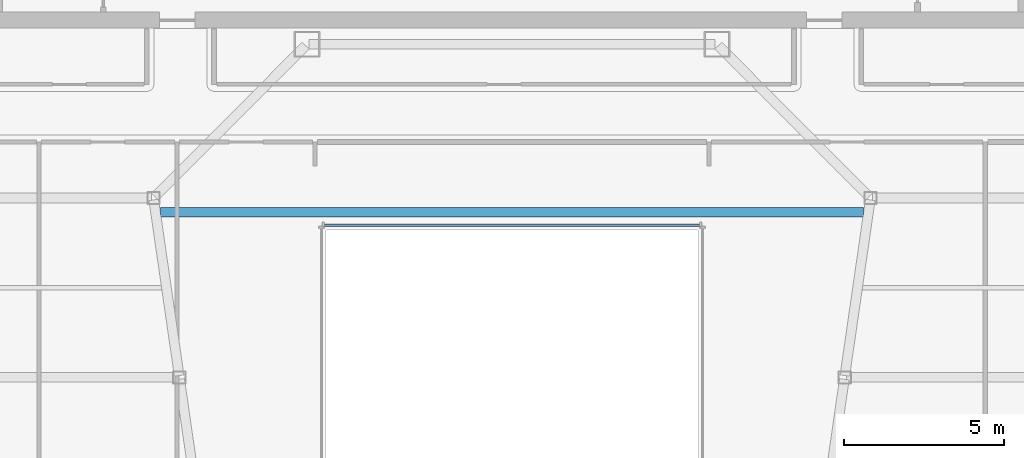
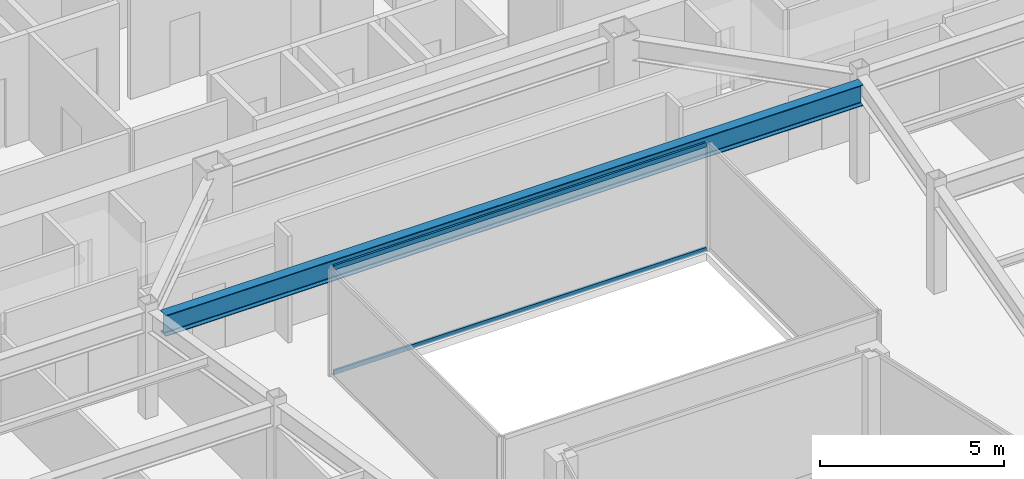
# One storey, part 14 of 36: 2 members, 1 beam, 1 element without a shape of its own.
"""IFC4 building model written with IfcOpenShell, lengths in metres."""

from ifc_helpers import new_model, si_unit, direction, frame, origin, origin_2d, place, context, subcontext, project, spatial, hollow_rectangle, i_section, extrude, material, material_profile, profile_set, type_object, element, aggregate, save


model = new_model("IFC4")

# Units and contexts
model_context = context("Model", 3, precision=1e-05, world=origin(), true_north=direction((0.0, 1.0)))
body_context = subcontext(model_context, "Body", "Model", "MODEL_VIEW")
ifc_project = project(units=[si_unit("LENGTHUNIT", "METRE"), si_unit("AREAUNIT", "SQUARE_METRE"), si_unit("VOLUMEUNIT", "CUBIC_METRE"), si_unit("PLANEANGLEUNIT", "RADIAN"), si_unit("MASSUNIT", "GRAM", prefix="KILO")], contexts=[model_context])

# Site, building, storey
site_placement = place(None, origin())
site = spatial("IfcSite", under=ifc_project, at=site_placement, CompositionType="ELEMENT")
building_placement = place(site_placement, origin())
building = spatial("IfcBuilding", under=site, at=building_placement, Name="Saevonmaru Cultural Tower", CompositionType="ELEMENT")
storey_placement = place(building_placement, frame((0.0, 0.0, 198.0)))
storey = spatial("IfcBuildingStorey", under=building, at=storey_placement, Name="L45", CompositionType="ELEMENT", Elevation=198.0)

# Beam
ifc_material_1 = material(Name="Steel SM355", Category="steel")
ifc_material_profile_1 = material_profile(ifc_material_1, i_section(OverallWidth=0.300048828125, OverallDepth=0.699951171875, WebThickness=0.012939453125, FlangeThickness=0.02392578125, FilletRadius=0.02587890625, at=origin_2d()), Name="H-700x300x13x24")
ifc_profile_set_1 = profile_set([ifc_material_profile_1], Name="Steel SM355")
beam_type = type_object("IfcBeamType", Name="BM-G-H700", PredefinedType="BEAM", material=ifc_profile_set_1)
beam_placement = place(storey_placement, frame((19.029541015625, 37.159912109375, 3.199951171875), z_axis=(1.0, 0.0, 0.0), x_axis=(0.0, 1.0, 0.0)))
element("IfcBeam", 1, at=beam_placement, inside=storey, type_object=beam_type, Name="L45 Central Link Girder", PredefinedType="BEAM", context=body_context, shape_type="SweptSolid", body=[
    extrude(i_section(OverallWidth=0.300048828125, OverallDepth=0.699951171875, WebThickness=0.012939453125, FlangeThickness=0.02392578125, FilletRadius=0.02587890625, at=origin_2d()), origin(), (0.0, 0.0, 1.0), 21.94091796875),
])

# Curtain wall, members
ifc_material_2 = material(Name="Satin Bronze Anodised Aluminium", Category="aluminium")
curtain_wall_type = type_object("IfcCurtainWallType", Name="CW-ATR-GLZ", PredefinedType="NOTDEFINED", material=ifc_material_2)
curtain_wall_placement = place(storey_placement, origin())
curtain_wall = element("IfcCurtainWall", 2, at=curtain_wall_placement, inside=storey, type_object=curtain_wall_type, Name="L45 Vertical Atrium Glazed Smoke Screen 3", PredefinedType="NOTDEFINED")
ifc_material_profile_2 = material_profile(ifc_material_2, hollow_rectangle(XDim=0.06494140625, YDim=0.14990234375, WallThickness=0.00390625, at=origin_2d()), Name="ALU-TRAN-150x65x4")
ifc_profile_set_2 = profile_set([ifc_material_profile_2], Name="Satin Bronze Anodised Aluminium")
member_type = type_object("IfcMemberType", Name="TR-CW-INT-150x65", PredefinedType="USERDEFINED", material=ifc_profile_set_2)
member_1_placement = place(storey_placement, frame((35.857421875, 36.75, 0.032470703125), z_axis=(-1.0, 0.0, 0.0), x_axis=(0.0, -1.0, 0.0)))
member_1 = element("IfcMember", 3, at=member_1_placement, type_object=member_type, Name="CW-ATR-L45-3 transom 1.1", ObjectType="TRANSOM", PredefinedType="USERDEFINED", context=body_context, shape_type="SweptSolid", body=[
    extrude(hollow_rectangle(XDim=0.06494140625, YDim=0.14990234375, WallThickness=0.00390625, at=origin_2d()), origin(), (0.0, 0.0, 1.0), 11.71484375),
])
member_2_placement = place(storey_placement, frame((35.857421875, 36.75, 3.517578125), z_axis=(-1.0, 0.0, 0.0), x_axis=(0.0, -1.0, 0.0)))
member_2 = element("IfcMember", 4, at=member_2_placement, type_object=member_type, Name="CW-ATR-L45-3 transom 1.2", ObjectType="TRANSOM", PredefinedType="USERDEFINED", context=body_context, shape_type="SweptSolid", body=[
    extrude(hollow_rectangle(XDim=0.06494140625, YDim=0.14990234375, WallThickness=0.00390625, at=origin_2d()), origin(), (0.0, 0.0, 1.0), 11.71484375),
])
aggregate(curtain_wall, [member_1, member_2])

save(model, "model.ifc")
